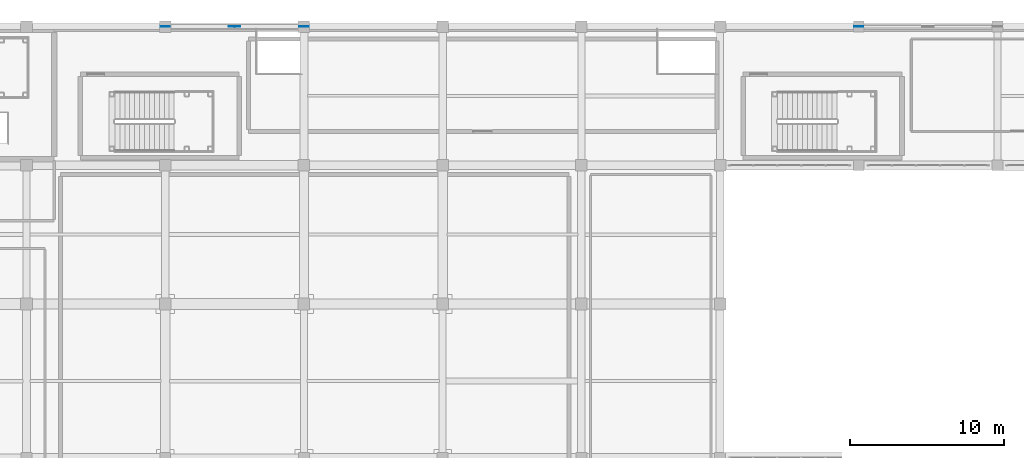
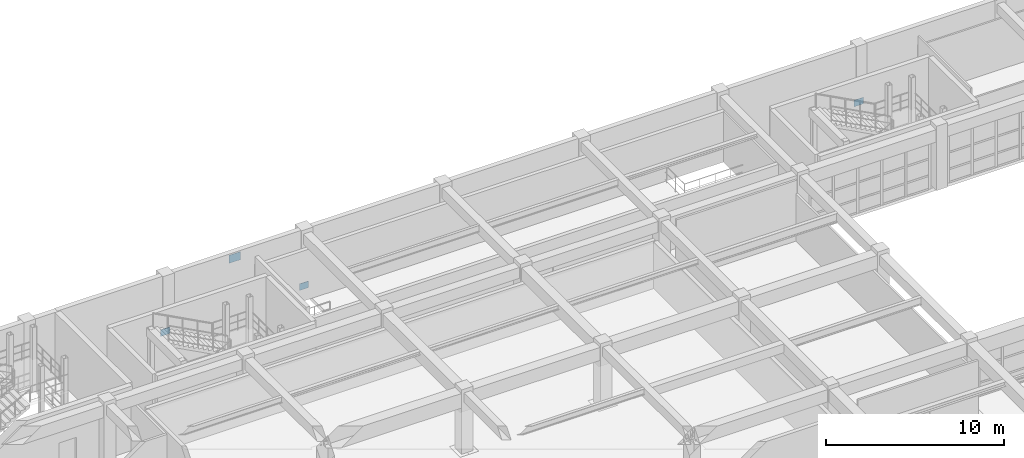
# One storey, part 104 of 133: 4 plates.
"""IFC4 building model written with IfcOpenShell, lengths in metres."""

from ifc_helpers import new_model, si_unit, direction, frame, origin, origin_2d, place, context, subcontext, project, spatial, rectangle, extrude, material, layer, layer_set, type_object, element, save


model = new_model("IFC4")

# Units and contexts
model_context = context("Model", 3, precision=1e-05, world=origin(), true_north=direction((0.0, 1.0)))
body_context = subcontext(model_context, "Body", "Model", "MODEL_VIEW")
ifc_project = project(units=[si_unit("LENGTHUNIT", "METRE"), si_unit("AREAUNIT", "SQUARE_METRE"), si_unit("VOLUMEUNIT", "CUBIC_METRE"), si_unit("PLANEANGLEUNIT", "RADIAN"), si_unit("MASSUNIT", "GRAM", prefix="KILO")], contexts=[model_context])

# Site, building, storey
site_placement = place(None, origin())
site = spatial("IfcSite", under=ifc_project, at=site_placement, CompositionType="ELEMENT")
building_placement = place(site_placement, origin())
building = spatial("IfcBuilding", under=site, at=building_placement, Name="Miravela Opera House", CompositionType="ELEMENT")
storey_placement = place(building_placement, frame((0.0, 0.0, 5.10009765625)))
storey = spatial("IfcBuildingStorey", under=building, at=storey_placement, Name="L01", CompositionType="ELEMENT", Elevation=5.10009765625)

# Plates
ifc_material = material(Name="Structural steel ASTM A572 Gr. 50", Category="steel")
ifc_layer_1 = layer(ifc_material, 0.01806640625)
ifc_layer_set_1 = layer_set([ifc_layer_1])
plate_type_1 = type_object("IfcPlateType", Name="STR-PL-GUS-600X450X18", PredefinedType="USERDEFINED", material=ifc_layer_set_1)
for number, where, z_axis, x_axis, name in (
    (1, (81.0, 112.0, 0.07470703125), (0.0, 0.0, 1.0), (1.0, 0.0, 0.0), "Brace Wall Cast-In Embed Plate 337"),
    (2, (90.0, 112.0, 0.07470703125), (0.0, 0.0, 1.0), (1.0, 0.0, 0.0), "Brace Wall Cast-In Embed Plate 338"),
    (3, (126.0, 112.0, 0.07470703125), (0.0, 0.0, 1.0), (1.0, 0.0, 0.0), "Brace Wall Cast-In Embed Plate 349"),
):
    element("IfcPlate", number, at=place(storey_placement, frame(where, z_axis=z_axis, x_axis=x_axis)), inside=storey, type_object=plate_type_1, Name=name, ObjectType="GUSSET PLATE", PredefinedType="USERDEFINED", context=body_context, shape_type="SweptSolid", body=[
        extrude(rectangle(XDim=0.60009765625, YDim=0.01806640625, at=origin_2d()), origin(), (0.0, 0.0, 1.0), 0.449951171875),
    ])
ifc_layer_2 = layer(ifc_material, 0.02001953125)
ifc_layer_set_2 = layer_set([ifc_layer_2])
plate_type_2 = type_object("IfcPlateType", Name="STR-PL-GUS-750X550X20", PredefinedType="USERDEFINED", material=ifc_layer_set_2)
plate_placement = place(storey_placement, frame((85.5, 112.0, 3.53466796875), z_axis=(0.0, 0.0, 1.0), x_axis=(1.0, 0.0, 0.0)))
element("IfcPlate", 4, at=plate_placement, inside=storey, type_object=plate_type_2, Name="Chevron Brace Apex Gusset Plate 336", ObjectType="GUSSET PLATE", PredefinedType="USERDEFINED", context=body_context, shape_type="SweptSolid", body=[
    extrude(rectangle(XDim=0.75, YDim=0.02001953125, at=origin_2d()), origin(), (0.0, 0.0, 1.0), 0.550048828125),
])

save(model, "model.ifc")
